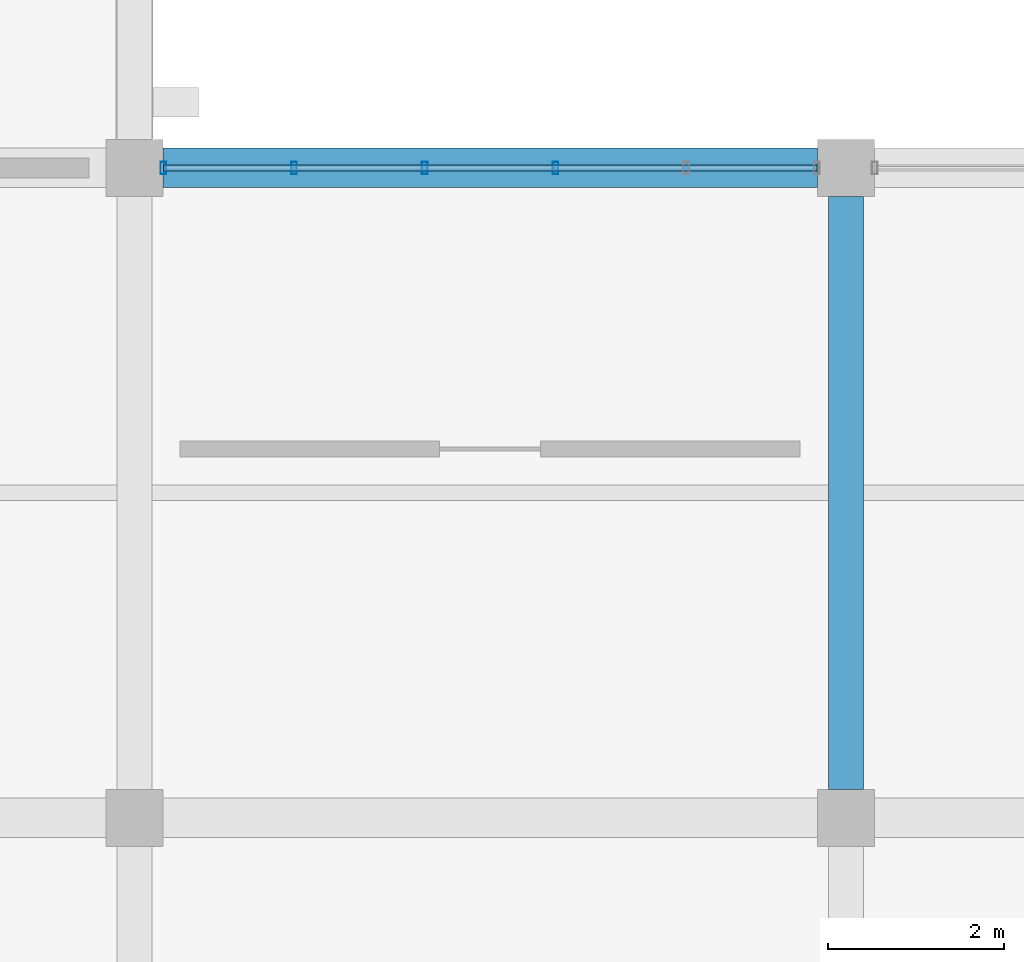
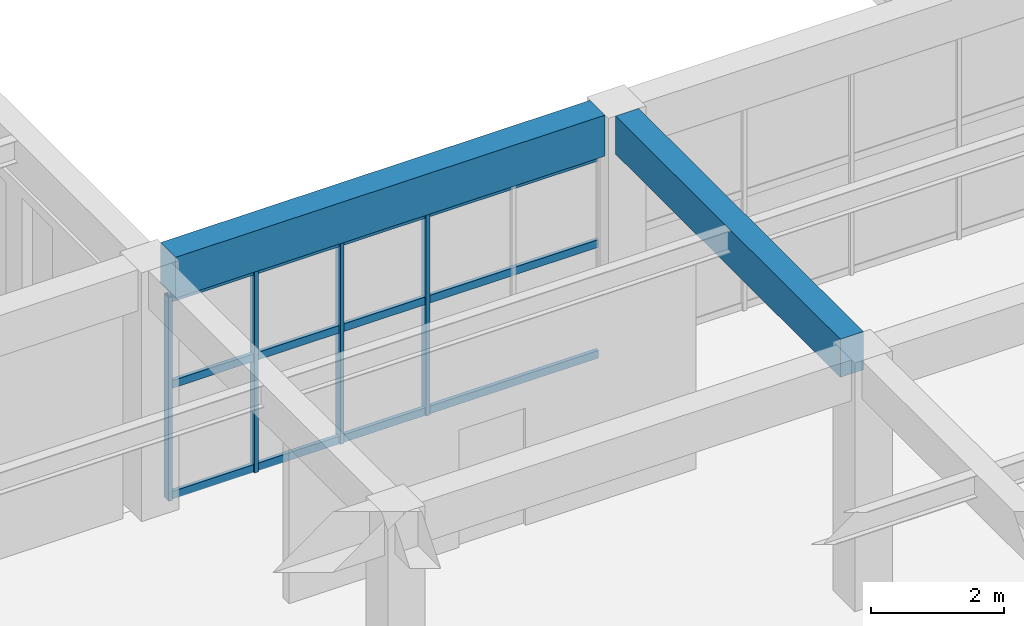
# One storey, part 106 of 161: 7 members, 2 beams, 1 element without a shape of its own.
"""IFC4 building model written with IfcOpenShell, lengths in metres."""

from ifc_helpers import new_model, si_unit, direction, frame, origin, origin_2d, place, context, subcontext, project, spatial, rectangle, hollow_rectangle, extrude, material, material_profile, profile_set, type_object, element, aggregate, save


model = new_model("IFC4")

# Units and contexts
model_context = context("Model", 3, precision=1e-05, world=origin(), true_north=direction((0.0, 1.0)))
body_context = subcontext(model_context, "Body", "Model", "MODEL_VIEW")
ifc_project = project(units=[si_unit("LENGTHUNIT", "METRE"), si_unit("AREAUNIT", "SQUARE_METRE"), si_unit("VOLUMEUNIT", "CUBIC_METRE"), si_unit("PLANEANGLEUNIT", "RADIAN"), si_unit("MASSUNIT", "GRAM", prefix="KILO")], contexts=[model_context])

# Site, building, storey
site_placement = place(None, origin())
site = spatial("IfcSite", under=ifc_project, at=site_placement, CompositionType="ELEMENT")
building_placement = place(site_placement, origin())
building = spatial("IfcBuilding", under=site, at=building_placement, Name="Cimatlan Art Gallery", CompositionType="ELEMENT")
storey_placement = place(building_placement, frame((0.0, 0.0, 5.39990234375)))
storey = spatial("IfcBuildingStorey", under=building, at=storey_placement, Name="L01", CompositionType="ELEMENT", Elevation=5.39990234375)

# Beams
ifc_material_1 = material(Name="Concrete C40/50", Category="concrete")
ifc_material_profile_1 = material_profile(ifc_material_1, rectangle(XDim=0.39990234375, YDim=0.699951171875, at=origin_2d()), Name="RC400X700")
ifc_profile_set_1 = profile_set([ifc_material_profile_1], Name="Concrete C40/50")
beam_type_1 = type_object("IfcBeamType", Name="BM-RC-400X700", PredefinedType="BEAM", material=ifc_profile_set_1)
beam_1_placement = place(storey_placement, frame((139.699951171875, 31.625, 4.210205078125), z_axis=(0.0, 1.0, 0.0), x_axis=(-1.0, 0.0, 0.0)))
element("IfcBeam", 1, at=beam_1_placement, inside=storey, type_object=beam_type_1, Name="BM-Y-L01-17-04", PredefinedType="BEAM", context=body_context, shape_type="SweptSolid", body=[
    extrude(rectangle(XDim=0.39990234375, YDim=0.699951171875, at=origin_2d()), origin(), (0.0, 0.0, 1.0), 6.75),
])
ifc_material_profile_2 = material_profile(ifc_material_1, rectangle(XDim=0.449951171875, YDim=0.75, at=origin_2d()), Name="RC450X750")
ifc_profile_set_2 = profile_set([ifc_material_profile_2], Name="Concrete C40/50")
beam_type_2 = type_object("IfcBeamType", Name="BM-RC-450X750", PredefinedType="BEAM", material=ifc_profile_set_2)
beam_2_placement = place(storey_placement, frame((131.925048828125, 38.699951171875, 4.18505859375), z_axis=(1.0, 0.0, 0.0), x_axis=(0.0, 1.0, 0.0)))
element("IfcBeam", 2, at=beam_2_placement, inside=storey, type_object=beam_type_2, Name="BM-X-L01-16-05", PredefinedType="BEAM", context=body_context, shape_type="SweptSolid", body=[
    extrude(rectangle(XDim=0.449951171875, YDim=0.75, at=origin_2d()), origin(), (0.0, 0.0, 1.0), 7.449951171875),
])

# Curtain wall, members
ifc_material_2 = material(Name="Anodised bronze unitised curtain wall")
curtain_wall_type = type_object("IfcCurtainWallType", Name="CW-V-07442X03735-B5", PredefinedType="NOTDEFINED", material=ifc_material_2)
curtain_wall_placement = place(storey_placement, origin())
curtain_wall = element("IfcCurtainWall", 3, at=curtain_wall_placement, inside=storey, type_object=curtain_wall_type, Name="CW-L01-16-04-N", PredefinedType="NOTDEFINED")
ifc_material_3 = material(Name="Anodised bronze aluminium 6063-T6", Category="aluminium")
ifc_material_profile_3 = material_profile(ifc_material_3, hollow_rectangle(XDim=0.06494140625, YDim=0.139892578125, WallThickness=0.00390625, at=origin_2d()), Name="ALU65X140X4")
ifc_profile_set_3 = profile_set([ifc_material_profile_3], Name="Anodised bronze aluminium 6063-T6")
member_type_1 = type_object("IfcMemberType", Name="CW-MUL-140", PredefinedType="MULLION", material=ifc_profile_set_3)
member_1_placement = place(storey_placement, frame((131.928955078125, 38.699951171875, 0.0), z_axis=(0.0, 0.0, 1.0), x_axis=(1.0, 0.0, 0.0)))
member_1 = element("IfcMember", 4, at=member_1_placement, type_object=member_type_1, Name="CW-L01-16-04-N-M1", PredefinedType="MULLION", context=body_context, shape_type="SweptSolid", body=[
    extrude(hollow_rectangle(XDim=0.06494140625, YDim=0.139892578125, WallThickness=0.00390625, at=origin_2d()), origin(), (0.0, 0.0, 1.0), 3.735107421875),
])
member_2_placement = place(storey_placement, frame((133.41748046875, 38.699951171875, 0.0), z_axis=(0.0, 0.0, 1.0), x_axis=(1.0, 0.0, 0.0)))
member_2 = element("IfcMember", 5, at=member_2_placement, type_object=member_type_1, Name="CW-L01-16-04-N-M2", PredefinedType="MULLION", context=body_context, shape_type="SweptSolid", body=[
    extrude(hollow_rectangle(XDim=0.06494140625, YDim=0.139892578125, WallThickness=0.00390625, at=origin_2d()), origin(), (0.0, 0.0, 1.0), 3.735107421875),
])
member_3_placement = place(storey_placement, frame((134.90576171875, 38.699951171875, 0.0), z_axis=(0.0, 0.0, 1.0), x_axis=(1.0, 0.0, 0.0)))
member_3 = element("IfcMember", 6, at=member_3_placement, type_object=member_type_1, Name="CW-L01-16-04-N-M3", PredefinedType="MULLION", context=body_context, shape_type="SweptSolid", body=[
    extrude(hollow_rectangle(XDim=0.06494140625, YDim=0.139892578125, WallThickness=0.00390625, at=origin_2d()), origin(), (0.0, 0.0, 1.0), 3.735107421875),
])
member_4_placement = place(storey_placement, frame((136.394287109375, 38.699951171875, 0.0), z_axis=(0.0, 0.0, 1.0), x_axis=(1.0, 0.0, 0.0)))
member_4 = element("IfcMember", 7, at=member_4_placement, type_object=member_type_1, Name="CW-L01-16-04-N-M4", PredefinedType="MULLION", context=body_context, shape_type="SweptSolid", body=[
    extrude(hollow_rectangle(XDim=0.06494140625, YDim=0.139892578125, WallThickness=0.00390625, at=origin_2d()), origin(), (0.0, 0.0, 1.0), 3.735107421875),
])
ifc_material_profile_4 = material_profile(ifc_material_3, hollow_rectangle(XDim=0.06494140625, YDim=0.139892578125, WallThickness=0.00390625, at=origin_2d()), Name="ALU65X140X4")
ifc_profile_set_4 = profile_set([ifc_material_profile_4], Name="Anodised bronze aluminium 6063-T6")
member_type_2 = type_object("IfcMemberType", Name="CW-TRN-140", PredefinedType="USERDEFINED", material=ifc_profile_set_4)
member_5_placement = place(storey_placement, frame((131.928955078125, 38.699951171875, 0.06005859375), z_axis=(1.0, 0.0, 0.0), x_axis=(0.0, 1.0, 0.0)))
member_5 = element("IfcMember", 8, at=member_5_placement, type_object=member_type_2, Name="CW-L01-16-04-N-T1", ObjectType="TRANSOM", PredefinedType="USERDEFINED", context=body_context, shape_type="SweptSolid", body=[
    extrude(hollow_rectangle(XDim=0.06494140625, YDim=0.139892578125, WallThickness=0.00390625, at=origin_2d()), origin(), (0.0, 0.0, 1.0), 7.442138671875),
])
member_6_placement = place(storey_placement, frame((131.928955078125, 38.699951171875, 2.091796875), z_axis=(1.0, 0.0, 0.0), x_axis=(0.0, 1.0, 0.0)))
member_6 = element("IfcMember", 9, at=member_6_placement, type_object=member_type_2, Name="CW-L01-16-04-N-T2", ObjectType="TRANSOM", PredefinedType="USERDEFINED", context=body_context, shape_type="SweptSolid", body=[
    extrude(hollow_rectangle(XDim=0.06494140625, YDim=0.139892578125, WallThickness=0.00390625, at=origin_2d()), origin(), (0.0, 0.0, 1.0), 7.442138671875),
])
member_7_placement = place(storey_placement, frame((131.928955078125, 38.699951171875, 3.675048828125), z_axis=(1.0, 0.0, 0.0), x_axis=(0.0, 1.0, 0.0)))
member_7 = element("IfcMember", 10, at=member_7_placement, type_object=member_type_2, Name="CW-L01-16-04-N-T3", ObjectType="TRANSOM", PredefinedType="USERDEFINED", context=body_context, shape_type="SweptSolid", body=[
    extrude(hollow_rectangle(XDim=0.06494140625, YDim=0.139892578125, WallThickness=0.00390625, at=origin_2d()), origin(), (0.0, 0.0, 1.0), 7.442138671875),
])
aggregate(curtain_wall, [member_1, member_2, member_3, member_4, member_5, member_6, member_7])

save(model, "model.ifc")
